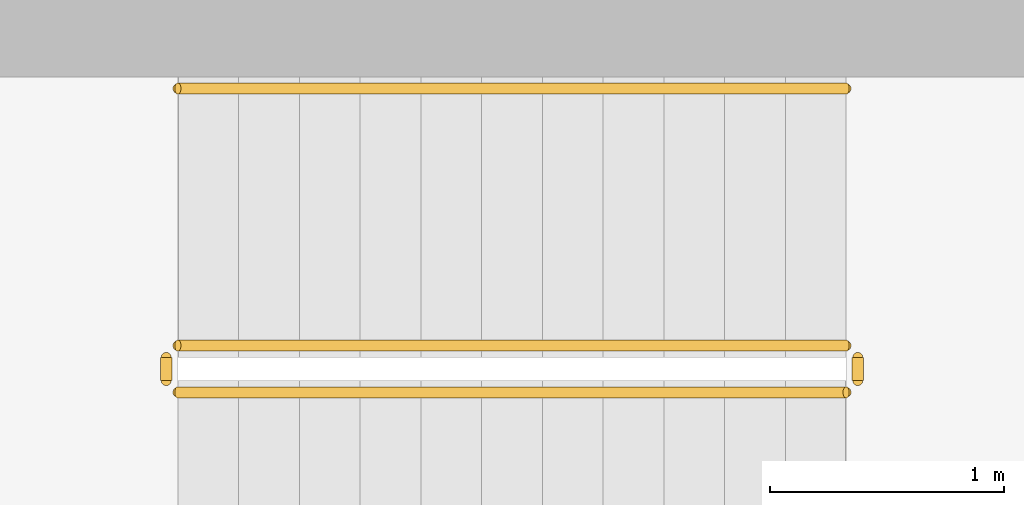
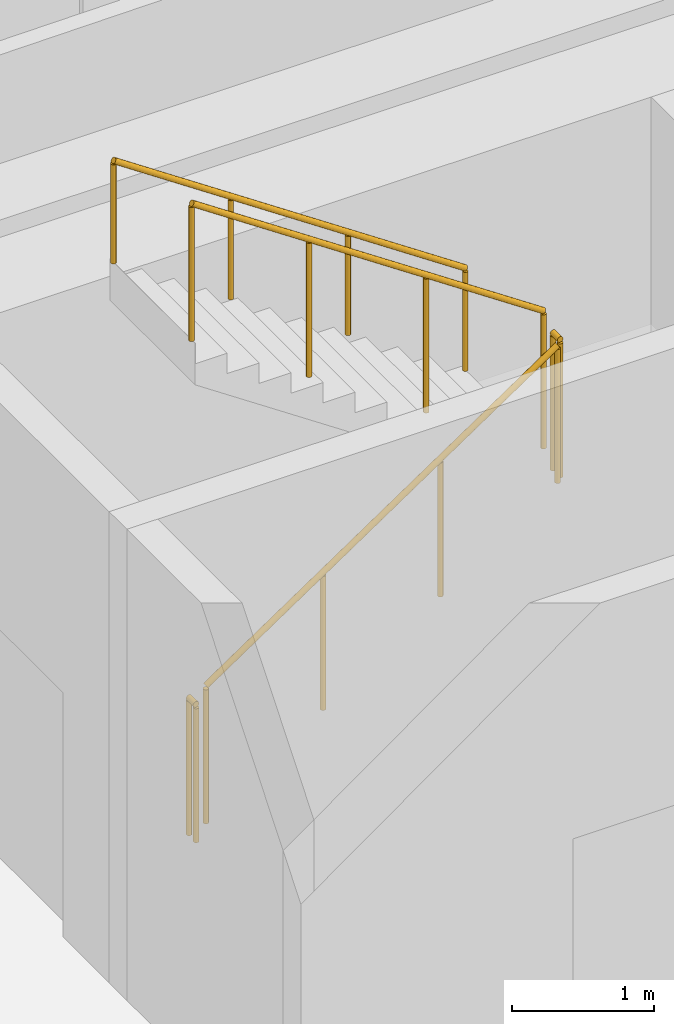
# One storey, part 20 of 24: 5 railings.
"""IFC4 building model written with IfcOpenShell, lengths in metres."""

from ifc_helpers import new_model, si_unit, direction, frame, origin, origin_2d, place, context, subcontext, project, spatial, circle, extrude, material, type_object, element, save


model = new_model("IFC4")

# Units and contexts
model_context = context("Model", 3, precision=1e-05, world=origin(), true_north=direction((0.0, 1.0)))
body_context = subcontext(model_context, "Body", "Model", "MODEL_VIEW")
ifc_project = project(units=[si_unit("LENGTHUNIT", "METRE"), si_unit("AREAUNIT", "SQUARE_METRE"), si_unit("VOLUMEUNIT", "CUBIC_METRE"), si_unit("PLANEANGLEUNIT", "RADIAN"), si_unit("MASSUNIT", "GRAM", prefix="KILO")], contexts=[model_context])

# Site, building, storey
site_placement = place(None, origin())
site = spatial("IfcSite", under=ifc_project, at=site_placement, CompositionType="ELEMENT")
building_placement = place(site_placement, origin())
building = spatial("IfcBuilding", under=site, at=building_placement, Name="Sahrelin Media Tower", CompositionType="ELEMENT")
storey_placement = place(building_placement, frame((0.0, 0.0, 67.199951171875)))
storey = spatial("IfcBuildingStorey", under=building, at=storey_placement, Name="L11", CompositionType="ELEMENT", Elevation=67.199951171875)

# Railings
ifc_material = material(Name="Steel S355", Category="steel")
railing_type_1 = type_object("IfcRailingType", Name="Stair guard 1200", PredefinedType="GUARDRAIL", material=ifc_material)
railing_1_placement = place(storey_placement, frame((-7.675048828125, 5.25, 0.175048828125)))
element("IfcRailing", 1, at=railing_1_placement, inside=storey, type_object=railing_type_1, Name="L11 ST1 stair guard 1", PredefinedType="GUARDRAIL", context=body_context, shape_type="SweptSolid", body=[
    extrude(circle(Radius=0.02392578125, at=origin_2d()), frame((0.0, 0.0, 1.17578125), z_axis=(0.829590901723, 0.0, 0.558371682465), x_axis=(0.0, 1.0, 0.0)), (0.0, 0.0, 1.0), 3.447509765625),
    extrude(circle(Radius=0.02099609375, at=origin_2d()), origin(), (0.0, 0.0, 1.0), 1.15185546875),
    extrude(circle(Radius=0.02099609375, at=origin_2d()), frame((0.953369140625, 0.0, 0.6416015625)), (0.0, 0.0, 1.0), 1.15185546875),
    extrude(circle(Radius=0.02099609375, at=origin_2d()), frame((1.90673828125, 0.0, 1.283447265625)), (0.0, 0.0, 1.0), 1.15185546875),
    extrude(circle(Radius=0.02099609375, at=origin_2d()), frame((2.860107421875, 0.0, 1.925048828125)), (0.0, 0.0, 1.0), 1.15185546875),
])
railing_2_placement = place(storey_placement, frame((-4.764892578125, 5.300048828125, 2.10009765625)))
element("IfcRailing", 2, at=railing_2_placement, inside=storey, type_object=railing_type_1, Name="L11 ST1 stair guard 2", PredefinedType="GUARDRAIL", context=body_context, shape_type="SweptSolid", body=[
    extrude(circle(Radius=0.02392578125, at=origin_2d()), frame((0.0, 0.0, 1.17578125), z_axis=(0.0, 1.0, 0.0), x_axis=(-1.0, 0.0, 0.0)), (0.0, 0.0, 1.0), 0.099853515625),
    extrude(circle(Radius=0.02099609375, at=origin_2d()), origin(), (0.0, 0.0, 1.0), 1.15185546875),
    extrude(circle(Radius=0.02099609375, at=origin_2d()), frame((0.0, 0.099853515625, 0.0)), (0.0, 0.0, 1.0), 1.15185546875),
])
railing_3_placement = place(storey_placement, frame((-4.81494140625, 5.449951171875, 2.275146484375)))
element("IfcRailing", 3, at=railing_3_placement, inside=storey, type_object=railing_type_1, Name="L11 ST1 stair guard 3", PredefinedType="GUARDRAIL", context=body_context, shape_type="SweptSolid", body=[
    extrude(circle(Radius=0.02392578125, at=origin_2d()), frame((0.0, 0.0, 1.17578125), z_axis=(-0.829623704247, 0.0, 0.558322943601), x_axis=(0.0, -1.0, 0.0)), (0.0, 0.0, 1.0), 3.447509765625),
    extrude(circle(Radius=0.02099609375, at=origin_2d()), origin(), (0.0, 0.0, 1.0), 1.15185546875),
    extrude(circle(Radius=0.02099609375, at=origin_2d()), frame((-0.953369140625, 0.0, 0.6416015625)), (0.0, 0.0, 1.0), 1.15185546875),
    extrude(circle(Radius=0.02099609375, at=origin_2d()), frame((-1.90673828125, 0.0, 1.283203125)), (0.0, 0.0, 1.0), 1.15185546875),
    extrude(circle(Radius=0.02099609375, at=origin_2d()), frame((-2.860107421875, 0.0, 1.9248046875)), (0.0, 0.0, 1.0), 1.15185546875),
])
railing_4_placement = place(storey_placement, frame((-7.72509765625, 5.300048828125, 0.0)))
element("IfcRailing", 4, at=railing_4_placement, inside=storey, type_object=railing_type_1, Name="L11 ST1 stair guard 4", PredefinedType="GUARDRAIL", context=body_context, shape_type="SweptSolid", body=[
    extrude(circle(Radius=0.02392578125, at=origin_2d()), frame((0.0, 0.0, 1.17578125), z_axis=(0.0, 1.0, 0.0), x_axis=(-1.0, 0.0, 0.0)), (0.0, 0.0, 1.0), 0.099853515625),
    extrude(circle(Radius=0.02099609375, at=origin_2d()), origin(), (0.0, 0.0, 1.0), 1.15185546875),
    extrude(circle(Radius=0.02099609375, at=origin_2d()), frame((0.0, 0.099853515625, 0.0)), (0.0, 0.0, 1.0), 1.15185546875),
])
railing_type_2 = type_object("IfcRailingType", Name="Stair handrail 900", PredefinedType="HANDRAIL", material=ifc_material)
railing_5_placement = place(storey_placement, frame((-4.81494140625, 6.550048828125, 2.275146484375)))
element("IfcRailing", 5, at=railing_5_placement, inside=storey, type_object=railing_type_2, Name="L11 ST1 stair handrail 2", PredefinedType="HANDRAIL", context=body_context, shape_type="SweptSolid", body=[
    extrude(circle(Radius=0.02392578125, at=origin_2d()), frame((0.0, 0.0, 0.8759765625), z_axis=(-0.829623704247, 0.0, 0.558322943601), x_axis=(0.0, -1.0, 0.0)), (0.0, 0.0, 1.0), 3.447509765625),
    extrude(circle(Radius=0.02099609375, at=origin_2d()), origin(), (0.0, 0.0, 1.0), 0.851806640625),
    extrude(circle(Radius=0.02099609375, at=origin_2d()), frame((-0.953369140625, 0.0, 0.6416015625)), (0.0, 0.0, 1.0), 0.851806640625),
    extrude(circle(Radius=0.02099609375, at=origin_2d()), frame((-1.90673828125, 0.0, 1.283203125)), (0.0, 0.0, 1.0), 0.851806640625),
    extrude(circle(Radius=0.02099609375, at=origin_2d()), frame((-2.860107421875, 0.0, 1.9248046875)), (0.0, 0.0, 1.0), 0.851806640625),
])

save(model, "model.ifc")
